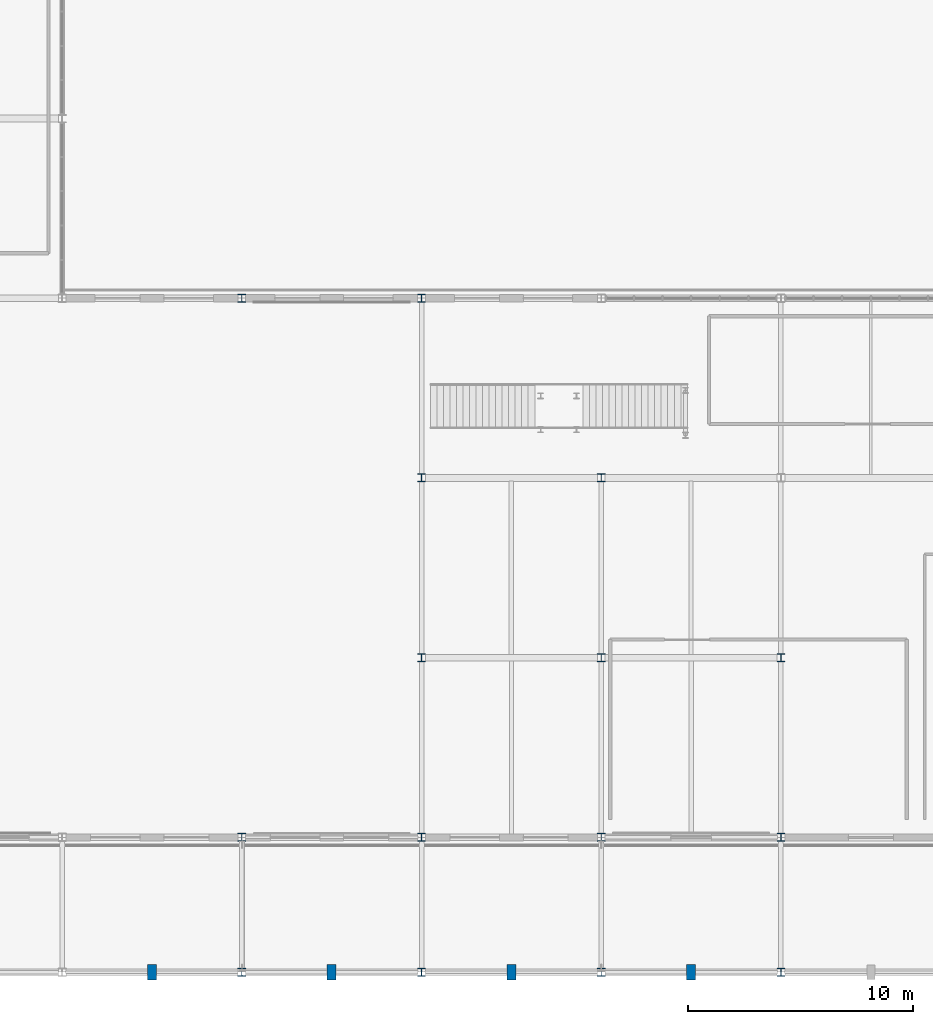
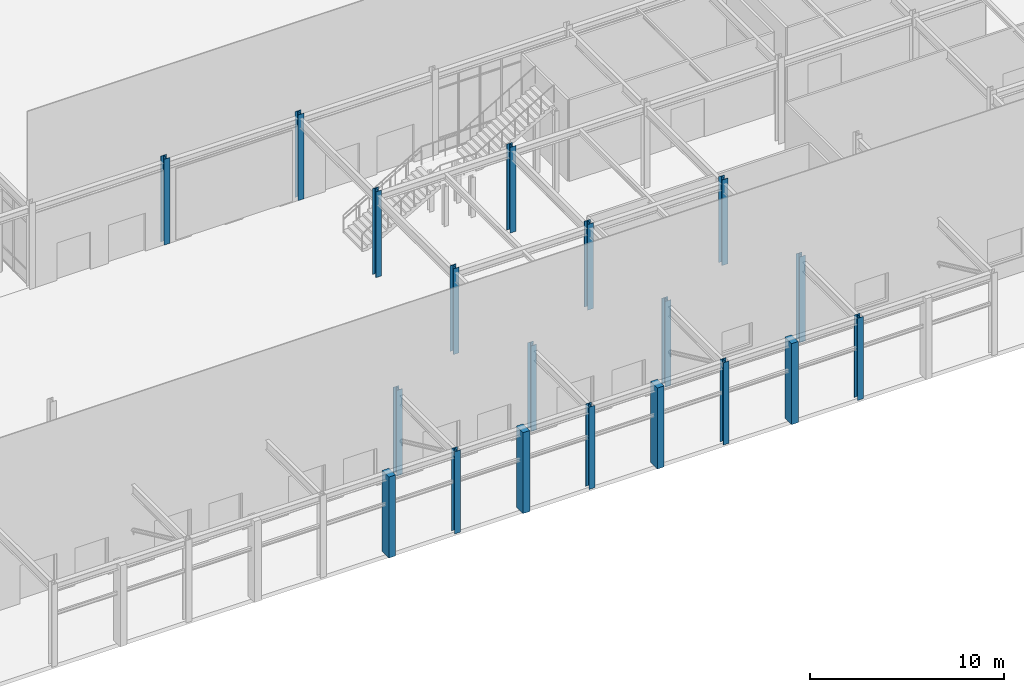
# One storey, part 5 of 119: 19 columns.
"""IFC4 building model written with IfcOpenShell, lengths in metres."""

from ifc_helpers import new_model, si_unit, direction, frame, origin, origin_2d, place, context, subcontext, project, spatial, rectangle, i_section, extrude, material, material_profile, profile_set, type_object, element, save


model = new_model("IFC4")

# Units and contexts
model_context = context("Model", 3, precision=1e-05, world=origin(), true_north=direction((0.0, 1.0)))
body_context = subcontext(model_context, "Body", "Model", "MODEL_VIEW")
ifc_project = project(units=[si_unit("LENGTHUNIT", "METRE"), si_unit("AREAUNIT", "SQUARE_METRE"), si_unit("VOLUMEUNIT", "CUBIC_METRE"), si_unit("PLANEANGLEUNIT", "RADIAN"), si_unit("MASSUNIT", "GRAM", prefix="KILO")], contexts=[model_context])

# Site, building, storey
site_placement = place(None, origin())
site = spatial("IfcSite", under=ifc_project, at=site_placement, CompositionType="ELEMENT")
building_placement = place(site_placement, origin())
building = spatial("IfcBuilding", under=site, at=building_placement, Name="Zhaolan Boulevard Law Courts", CompositionType="ELEMENT")
storey_placement = place(building_placement, origin())
storey = spatial("IfcBuildingStorey", under=building, at=storey_placement, Name="L00", CompositionType="ELEMENT", Elevation=0.0)

# Columns
ifc_material_1 = material(Name="Structural steel Q355B", Category="steel")
ifc_material_profile_1 = material_profile(ifc_material_1, i_section(OverallWidth=0.35009765625, OverallDepth=0.35009765625, WebThickness=0.011962890625, FlangeThickness=0.01904296875, FilletRadius=0.02001953125, at=origin_2d()), Name="HW350x350")
ifc_profile_set_1 = profile_set([ifc_material_profile_1], Name="Structural steel Q355B")
column_type_1 = type_object("IfcColumnType", Name="COL HW350", PredefinedType="COLUMN", material=ifc_profile_set_1)
column_1_placement = place(storey_placement, frame((68.0, 0.0, 0.0), z_axis=(0.0, 0.0, 1.0), x_axis=(1.0, 0.0, 0.0)))
element("IfcColumn", 1, at=column_1_placement, inside=storey, type_object=column_type_1, Name="Column C-9A (L00)", PredefinedType="COLUMN", context=body_context, shape_type="SweptSolid", body=[
    extrude(i_section(OverallWidth=0.35009765625, OverallDepth=0.35009765625, WebThickness=0.011962890625, FlangeThickness=0.01904296875, FilletRadius=0.02001953125, at=origin_2d()), origin(), (0.0, 0.0, 1.0), 5.179931640625),
])
for number, where, z_axis, x_axis, name in (
    (2, (68.0, 6.0, 0.0), (0.0, 0.0, 1.0), (1.0, 0.0, 0.0), "Column C-9B (L00)"),
    (3, (68.0, 30.0, 0.0), (0.0, 0.0, 1.0), (1.0, 0.0, 0.0), "Column C-9E (L00)"),
):
    element("IfcColumn", number, at=place(storey_placement, frame(where, z_axis=z_axis, x_axis=x_axis)), inside=storey, type_object=column_type_1, Name=name, PredefinedType="COLUMN", context=body_context, shape_type="SweptSolid", body=[
        extrude(i_section(OverallWidth=0.35009765625, OverallDepth=0.35009765625, WebThickness=0.011962890625, FlangeThickness=0.01904296875, FilletRadius=0.02001953125, at=origin_2d()), origin(), (0.0, 0.0, 1.0), 5.39990234375),
    ])
column_2_placement = place(storey_placement, frame((76.0, 0.0, 0.0), z_axis=(0.0, 0.0, 1.0), x_axis=(1.0, 0.0, 0.0)))
element("IfcColumn", 4, at=column_2_placement, inside=storey, type_object=column_type_1, Name="Column C-10A (L00)", PredefinedType="COLUMN", context=body_context, shape_type="SweptSolid", body=[
    extrude(i_section(OverallWidth=0.35009765625, OverallDepth=0.35009765625, WebThickness=0.011962890625, FlangeThickness=0.01904296875, FilletRadius=0.02001953125, at=origin_2d()), origin(), (0.0, 0.0, 1.0), 5.179931640625),
])
for number, where, z_axis, x_axis, name in (
    (5, (76.0, 6.0, 0.0), (0.0, 0.0, 1.0), (1.0, 0.0, 0.0), "Column C-10B (L00)"),
    (6, (76.0, 14.0, 0.0), (0.0, 0.0, 1.0), (1.0, 0.0, 0.0), "Column C-10C (L00)"),
    (7, (76.0, 22.0, 0.0), (0.0, 0.0, 1.0), (1.0, 0.0, 0.0), "Column C-10D (L00)"),
    (8, (76.0, 30.0, 0.0), (0.0, 0.0, 1.0), (1.0, 0.0, 0.0), "Column C-10E (L00)"),
):
    element("IfcColumn", number, at=place(storey_placement, frame(where, z_axis=z_axis, x_axis=x_axis)), inside=storey, type_object=column_type_1, Name=name, PredefinedType="COLUMN", context=body_context, shape_type="SweptSolid", body=[
        extrude(i_section(OverallWidth=0.35009765625, OverallDepth=0.35009765625, WebThickness=0.011962890625, FlangeThickness=0.01904296875, FilletRadius=0.02001953125, at=origin_2d()), origin(), (0.0, 0.0, 1.0), 5.39990234375),
    ])
column_3_placement = place(storey_placement, frame((84.0, 0.0, 0.0), z_axis=(0.0, 0.0, 1.0), x_axis=(1.0, 0.0, 0.0)))
element("IfcColumn", 9, at=column_3_placement, inside=storey, type_object=column_type_1, Name="Column C-11A (L00)", PredefinedType="COLUMN", context=body_context, shape_type="SweptSolid", body=[
    extrude(i_section(OverallWidth=0.35009765625, OverallDepth=0.35009765625, WebThickness=0.011962890625, FlangeThickness=0.01904296875, FilletRadius=0.02001953125, at=origin_2d()), origin(), (0.0, 0.0, 1.0), 5.179931640625),
])
for number, where, z_axis, x_axis, name in (
    (10, (84.0, 6.0, 0.0), (0.0, 0.0, 1.0), (1.0, 0.0, 0.0), "Column C-11B (L00)"),
    (11, (84.0, 14.0, 0.0), (0.0, 0.0, 1.0), (1.0, 0.0, 0.0), "Column C-11C (L00)"),
    (12, (84.0, 22.0, 0.0), (0.0, 0.0, 1.0), (1.0, 0.0, 0.0), "Column C-11D (L00)"),
):
    element("IfcColumn", number, at=place(storey_placement, frame(where, z_axis=z_axis, x_axis=x_axis)), inside=storey, type_object=column_type_1, Name=name, PredefinedType="COLUMN", context=body_context, shape_type="SweptSolid", body=[
        extrude(i_section(OverallWidth=0.35009765625, OverallDepth=0.35009765625, WebThickness=0.011962890625, FlangeThickness=0.01904296875, FilletRadius=0.02001953125, at=origin_2d()), origin(), (0.0, 0.0, 1.0), 5.39990234375),
    ])
column_4_placement = place(storey_placement, frame((92.0, 0.0, 0.0), z_axis=(0.0, 0.0, 1.0), x_axis=(1.0, 0.0, 0.0)))
element("IfcColumn", 13, at=column_4_placement, inside=storey, type_object=column_type_1, Name="Column C-12A (L00)", PredefinedType="COLUMN", context=body_context, shape_type="SweptSolid", body=[
    extrude(i_section(OverallWidth=0.35009765625, OverallDepth=0.35009765625, WebThickness=0.011962890625, FlangeThickness=0.01904296875, FilletRadius=0.02001953125, at=origin_2d()), origin(), (0.0, 0.0, 1.0), 5.179931640625),
])
for number, where, z_axis, x_axis, name in (
    (14, (92.0, 6.0, 0.0), (0.0, 0.0, 1.0), (1.0, 0.0, 0.0), "Column C-12B (L00)"),
    (15, (92.0, 14.0, 0.0), (0.0, 0.0, 1.0), (1.0, 0.0, 0.0), "Column C-12C (L00)"),
):
    element("IfcColumn", number, at=place(storey_placement, frame(where, z_axis=z_axis, x_axis=x_axis)), inside=storey, type_object=column_type_1, Name=name, PredefinedType="COLUMN", context=body_context, shape_type="SweptSolid", body=[
        extrude(i_section(OverallWidth=0.35009765625, OverallDepth=0.35009765625, WebThickness=0.011962890625, FlangeThickness=0.01904296875, FilletRadius=0.02001953125, at=origin_2d()), origin(), (0.0, 0.0, 1.0), 5.39990234375),
    ])
ifc_material_2 = material(Name="Concrete C40", Category="concrete")
ifc_material_profile_2 = material_profile(ifc_material_2, rectangle(XDim=0.39990234375, YDim=0.699951171875, at=origin_2d()), Name="RC400x700")
ifc_profile_set_2 = profile_set([ifc_material_profile_2], Name="Concrete C40")
column_type_2 = type_object("IfcColumnType", Name="PILASTER 400X700", PredefinedType="PILASTER", material=ifc_profile_set_2)
for number, where, z_axis, x_axis, name in (
    (16, (64.0, 0.0, 0.0), (0.0, 0.0, 1.0), (1.0, 0.0, 0.0), "Facade Pilaster PIL-03 (L00)"),
    (17, (72.0, 0.0, 0.0), (0.0, 0.0, 1.0), (1.0, 0.0, 0.0), "Facade Pilaster PIL-04 (L00)"),
    (18, (80.0, 0.0, 0.0), (0.0, 0.0, 1.0), (1.0, 0.0, 0.0), "Facade Pilaster PIL-05 (L00)"),
    (19, (88.0, 0.0, 0.0), (0.0, 0.0, 1.0), (1.0, 0.0, 0.0), "Facade Pilaster PIL-06 (L00)"),
):
    element("IfcColumn", number, at=place(storey_placement, frame(where, z_axis=z_axis, x_axis=x_axis)), inside=storey, type_object=column_type_2, Name=name, PredefinedType="PILASTER", context=body_context, shape_type="SweptSolid", body=[
        extrude(rectangle(XDim=0.39990234375, YDim=0.699951171875, at=origin_2d()), origin(), (0.0, 0.0, 1.0), 5.10009765625),
    ])

save(model, "model.ifc")
